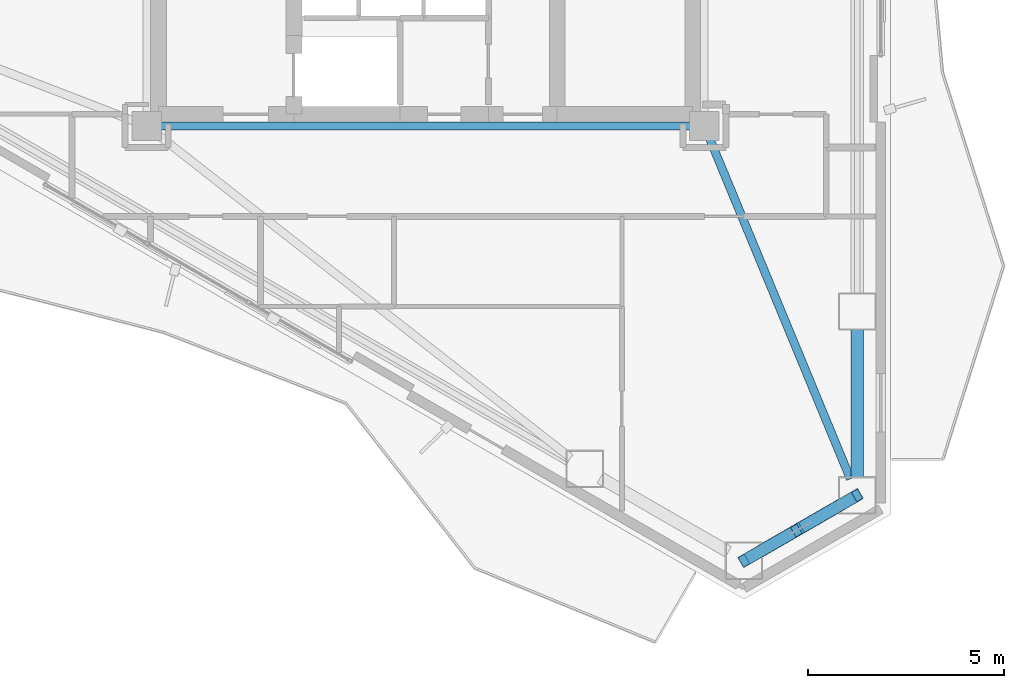
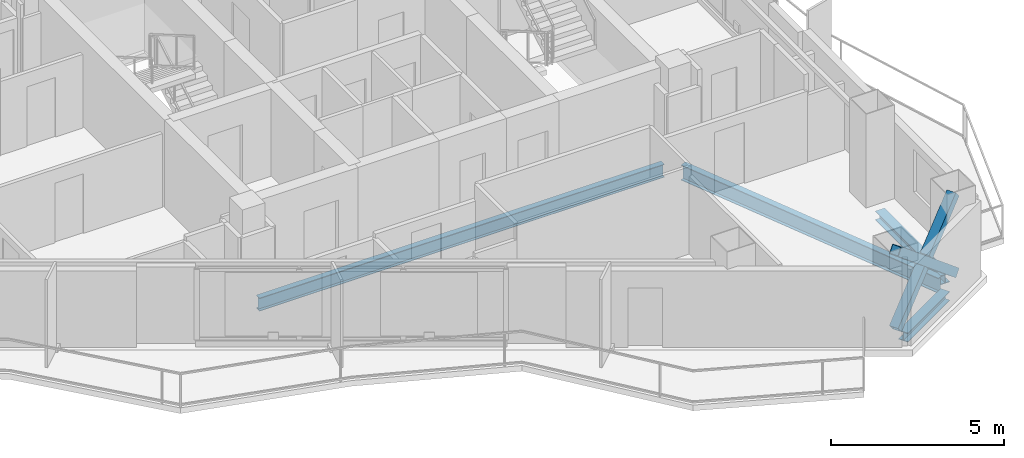
# One storey, part 5 of 21: 4 beams, 3 members.
"""IFC4 building model written with IfcOpenShell, lengths in metres."""

from ifc_helpers import new_model, si_unit, direction, frame, origin, origin_2d, place, context, subcontext, project, spatial, hollow_rectangle, i_section, extrude, material, material_profile, profile_set, type_object, element, save


model = new_model("IFC4")

# Units and contexts
model_context = context("Model", 3, precision=1e-05, world=origin(), true_north=direction((0.0, 1.0)))
body_context = subcontext(model_context, "Body", "Model", "MODEL_VIEW")
ifc_project = project(units=[si_unit("LENGTHUNIT", "METRE"), si_unit("AREAUNIT", "SQUARE_METRE"), si_unit("VOLUMEUNIT", "CUBIC_METRE"), si_unit("PLANEANGLEUNIT", "RADIAN"), si_unit("MASSUNIT", "GRAM", prefix="KILO")], contexts=[model_context])

# Site, building, storey
site_placement = place(None, origin())
site = spatial("IfcSite", under=ifc_project, at=site_placement, CompositionType="ELEMENT")
building_placement = place(site_placement, origin())
building = spatial("IfcBuilding", under=site, at=building_placement, Name="Mersakhor Tower and Convention Hall", CompositionType="ELEMENT")
storey_placement = place(building_placement, frame((0.0, 0.0, 185.39990234375)))
storey = spatial("IfcBuildingStorey", under=building, at=storey_placement, Name="L51", CompositionType="ELEMENT", Elevation=185.39990234375)

# Beams
ifc_material_1 = material(Name="Steel S355", Category="steel")
ifc_material_profile_1 = material_profile(ifc_material_1, i_section(OverallWidth=0.19140625, OverallDepth=0.4599609375, WebThickness=0.010009765625, FlangeThickness=0.01611328125, at=origin_2d()), Name="UB 457x191x82")
ifc_profile_set_1 = profile_set([ifc_material_profile_1], Name="Steel S355")
beam_type_1 = type_object("IfcBeamType", Name="BM-FB-457", PredefinedType="BEAM", material=ifc_profile_set_1)
beam_1_placement = place(storey_placement, frame((35.7451171875, 20.449951171875, -0.4599609375), z_axis=(-1.0, 0.0, 0.0), x_axis=(0.0, -1.0, 0.0)))
element("IfcBeam", 1, at=beam_1_placement, inside=storey, type_object=beam_type_1, Name="L51 Core Ring Tie Beam CRB-4", PredefinedType="BEAM", context=body_context, shape_type="SweptSolid", body=[
    extrude(i_section(OverallWidth=0.19140625, OverallDepth=0.4599609375, WebThickness=0.010009765625, FlangeThickness=0.01611328125, at=origin_2d()), origin(), (0.0, 0.0, 1.0), 13.490234375),
])
ifc_material_2 = material(Name="Steel S355", Category="steel")
ifc_material_profile_2 = material_profile(ifc_material_2, i_section(OverallWidth=0.2099609375, OverallDepth=0.53662109375, WebThickness=0.0107421875, FlangeThickness=0.017333984375, at=origin_2d()), Name="UB 533x210x101")
ifc_profile_set_2 = profile_set([ifc_material_profile_2], Name="Steel S355")
beam_type_2 = type_object("IfcBeamType", Name="BM-FB-533", PredefinedType="BEAM", material=ifc_profile_set_2)
beam_2_placement = place(storey_placement, frame((36.235595703125, 20.121826171875, -0.498291015625), z_axis=(0.382185218717, -0.924085742015, 0.0), x_axis=(0.924085742015, 0.382185218717, 0.0)))
element("IfcBeam", 2, at=beam_2_placement, inside=storey, type_object=beam_type_2, Name="L51 Primary Floor Girder FG-4", PredefinedType="BEAM", context=body_context, shape_type="SweptSolid", body=[
    extrude(i_section(OverallWidth=0.2099609375, OverallDepth=0.53662109375, WebThickness=0.0107421875, FlangeThickness=0.017333984375, at=origin_2d()), origin(), (0.0, 0.0, 1.0), 9.3642578125),
])
ifc_material_3 = material(Name="Steel S355", Category="steel")
ifc_material_profile_3 = material_profile(ifc_material_3, i_section(OverallWidth=0.30908203125, OverallDepth=0.320556640625, WebThickness=0.013916015625, FlangeThickness=0.021728515625, at=origin_2d()), Name="UC 305x305x137")
ifc_profile_set_3 = profile_set([ifc_material_profile_3], Name="Steel S355")
beam_type_3 = type_object("IfcBeamType", Name="BM-SPD-UC305", PredefinedType="SPANDREL", material=ifc_profile_set_3)
beam_3_placement = place(storey_placement, frame((39.98828125, 15.272216796875, -0.39013671875), z_axis=(0.0, -1.0, 0.0), x_axis=(1.0, 0.0, 0.0)))
element("IfcBeam", 3, at=beam_3_placement, inside=storey, type_object=beam_type_3, Name="L51 Perimeter Spandrel Beam SPB-07", PredefinedType="SPANDREL", context=body_context, shape_type="SweptSolid", body=[
    extrude(i_section(OverallWidth=0.30908203125, OverallDepth=0.320556640625, WebThickness=0.013916015625, FlangeThickness=0.021728515625, at=origin_2d()), origin(), (0.0, 0.0, 1.0), 3.769287109375),
])
beam_4_placement = place(storey_placement, frame((39.594482421875, 10.820556640625, -0.39013671875), z_axis=(-0.86605626798, -0.499946537834, 0.0), x_axis=(0.499946537834, -0.86605626798, 0.0)))
element("IfcBeam", 4, at=beam_4_placement, inside=storey, type_object=beam_type_3, Name="L51 Perimeter Spandrel Beam SPB-08", PredefinedType="SPANDREL", context=body_context, shape_type="SweptSolid", body=[
    extrude(i_section(OverallWidth=0.30908203125, OverallDepth=0.320556640625, WebThickness=0.013916015625, FlangeThickness=0.021728515625, at=origin_2d()), origin(), (0.0, 0.0, 1.0), 2.420654296875),
])

# Members
ifc_material_4 = material(Name="Steel S355", Category="steel")
ifc_material_profile_4 = material_profile(ifc_material_4, hollow_rectangle(XDim=0.300048828125, YDim=0.300048828125, WallThickness=0.01611328125, at=origin_2d()), Name="SHS 300x300x16")
ifc_profile_set_4 = profile_set([ifc_material_profile_4], Name="Steel S355")
member_type = type_object("IfcMemberType", Name="MB-BRC-SHS300", PredefinedType="BRACE", material=ifc_profile_set_4)
member_placement = place(storey_placement, frame((39.98828125, 11.048095703125, 0.150146484375), z_axis=(-0.665824923443, -0.384424564314, 0.639448923429), x_axis=(0.50001011158, -0.866019565782, 0.0)))
element("IfcMember", 5, at=member_placement, inside=storey, type_object=member_type, Name="L51 Chamfer Braced Frame Diagonal CB-2A", PredefinedType="BRACE", context=body_context, shape_type="SweptSolid", body=[
    extrude(hollow_rectangle(XDim=0.300048828125, YDim=0.300048828125, WallThickness=0.01611328125, at=origin_2d()), origin(), (0.0, 0.0, 1.0), 4.331787109375),
])
for number, where, z_axis, x_axis, name in (
    (6, (37.10400390625, 9.3828125, 0.150146484375), (0.665831077073, 0.384475140135, 0.639412107659), (-0.50005597947, 0.86599308161, 0.0), "L51 Chamfer Braced Frame Diagonal CB-2B Lower Half"),
    (7, (38.6533203125, 10.277099609375, 1.6376953125), (0.665711462011, 0.384476371073, 0.639535901599), (-0.500124558158, 0.865953478154, 0.0), "L51 Chamfer Braced Frame Diagonal CB-2B Upper Half"),
):
    element("IfcMember", number, at=place(storey_placement, frame(where, z_axis=z_axis, x_axis=x_axis)), inside=storey, type_object=member_type, Name=name, PredefinedType="BRACE", context=body_context, shape_type="SweptSolid", body=[
        extrude(hollow_rectangle(XDim=0.300048828125, YDim=0.300048828125, WallThickness=0.01611328125, at=origin_2d()), origin(), (0.0, 0.0, 1.0), 2.00537109375),
    ])

save(model, "model.ifc")
